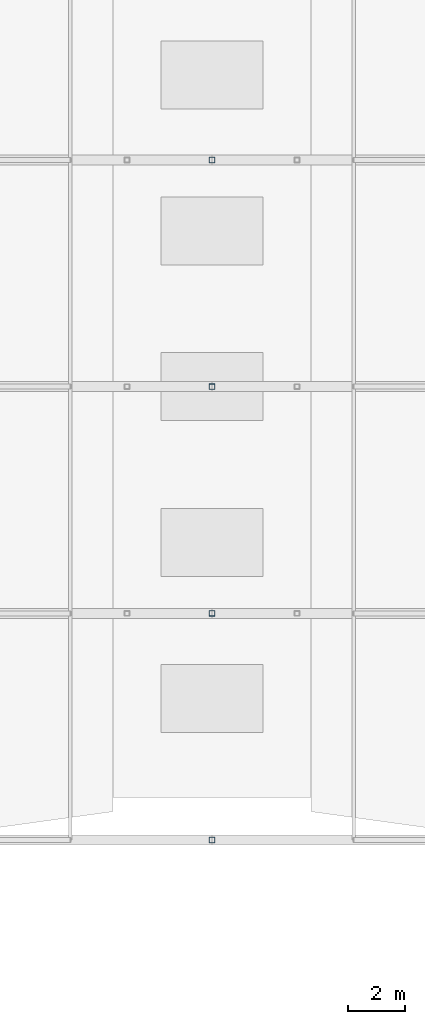
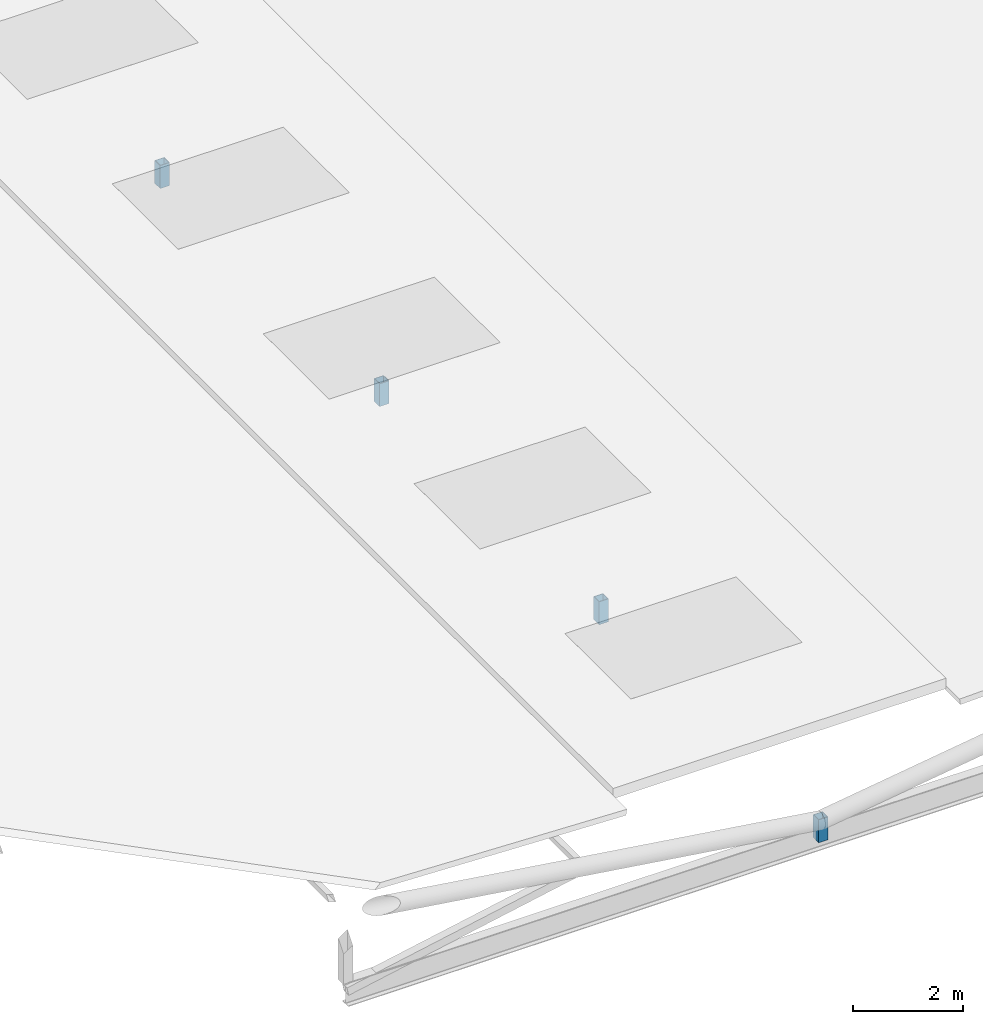
# One storey, part 50 of 84: 4 members.
"""IFC4 building model written with IfcOpenShell, lengths in metres."""

from ifc_helpers import new_model, si_unit, direction, frame, origin, origin_2d, place, context, subcontext, project, spatial, hollow_rectangle, extrude, material, material_profile, profile_set, type_object, element, save


model = new_model("IFC4")

# Units and contexts
model_context = context("Model", 3, precision=1e-05, world=origin(), true_north=direction((0.0, 1.0)))
body_context = subcontext(model_context, "Body", "Model", "MODEL_VIEW")
ifc_project = project(units=[si_unit("LENGTHUNIT", "METRE"), si_unit("AREAUNIT", "SQUARE_METRE"), si_unit("VOLUMEUNIT", "CUBIC_METRE"), si_unit("PLANEANGLEUNIT", "RADIAN"), si_unit("MASSUNIT", "GRAM", prefix="KILO")], contexts=[model_context])

# Site, building, storey
site_placement = place(None, origin())
site = spatial("IfcSite", under=ifc_project, at=site_placement, CompositionType="ELEMENT")
building_placement = place(site_placement, origin())
building = spatial("IfcBuilding", under=site, at=building_placement, Name="Tenunan Teduh Sports Hall", CompositionType="ELEMENT")
storey_placement = place(building_placement, frame((0.0, 0.0, 10.800048828125)))
storey = spatial("IfcBuildingStorey", under=building, at=storey_placement, Name="L02", CompositionType="ELEMENT", Elevation=10.800048828125)

# Members
ifc_material = material(Name="Steel S355", Category="steel")
ifc_material_profile = material_profile(ifc_material, hollow_rectangle(XDim=0.199951171875, YDim=0.199951171875, WallThickness=0.010009765625, at=origin_2d()), Name="SHS 200x200x10.0")
ifc_profile_set = profile_set([ifc_material_profile], Name="Steel S355")
member_type = type_object("IfcMemberType", Name="MEM-ST-SHS200", PredefinedType="STRUT", material=ifc_profile_set)
for number, where, z_axis, x_axis, name in (
    (1, (88.0, 38.0, -0.449951171875), (0.0, 0.0, 1.0), (1.0, 0.0, 0.0), "MEM-VS-02-L02-0861"),
    (2, (88.0, 46.0, -0.449951171875), (0.0, 0.0, 1.0), (1.0, 0.0, 0.0), "MEM-VS-02-L02-0872"),
    (3, (88.0, 54.0, -0.449951171875), (0.0, 0.0, 1.0), (1.0, 0.0, 0.0), "MEM-VS-02-L02-0883"),
    (4, (88.0, 62.0, -0.449951171875), (0.0, 0.0, 1.0), (1.0, 0.0, 0.0), "MEM-VS-02-L02-0894"),
):
    element("IfcMember", number, at=place(storey_placement, frame(where, z_axis=z_axis, x_axis=x_axis)), inside=storey, type_object=member_type, Name=name, PredefinedType="STRUT", context=body_context, shape_type="SweptSolid", body=[
        extrude(hollow_rectangle(XDim=0.199951171875, YDim=0.199951171875, WallThickness=0.010009765625, at=origin_2d()), origin(), (0.0, 0.0, 1.0), 0.510009765625),
    ])

save(model, "model.ifc")
